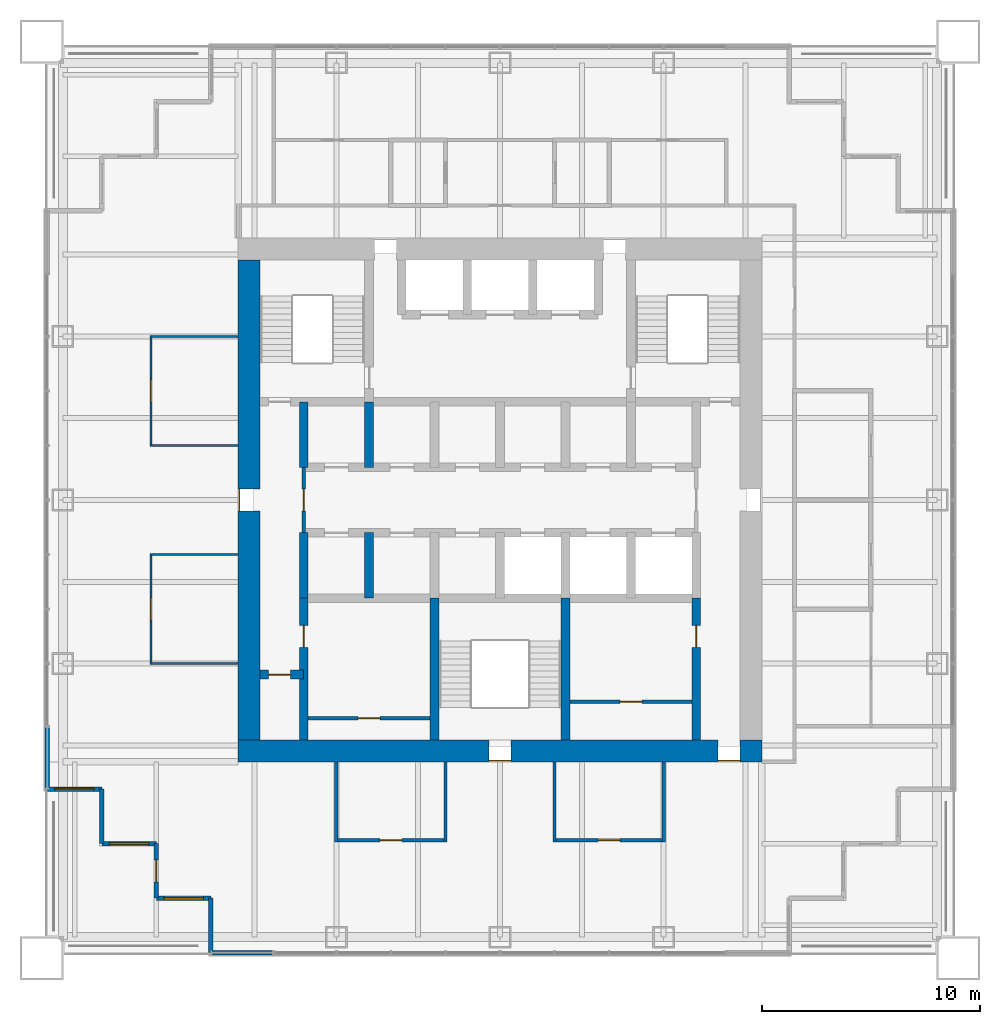
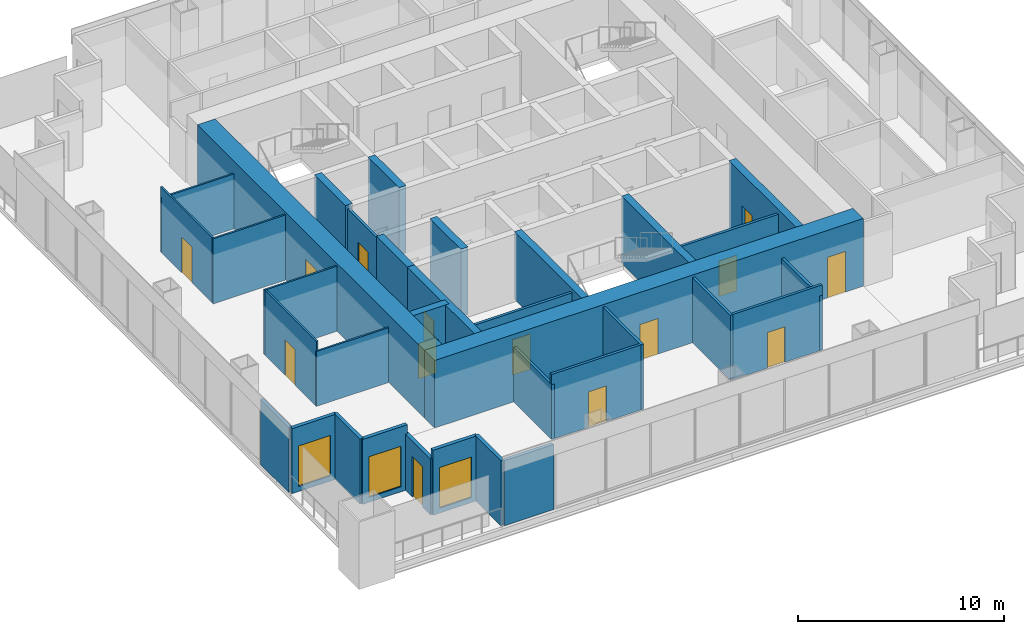
# One storey, part 9 of 14: 34 walls, 14 doors, 3 windows, 17 openings.
"""IFC4 building model written with IfcOpenShell, lengths in metres."""

from ifc_helpers import new_model, si_unit, direction, frame, frame_2d, origin, place, context, subcontext, project, spatial, rectangle, extrude, material, layer, layer_set, type_object, element, fill, save


model = new_model("IFC4")

# Units and contexts
model_context = context("Model", 3, precision=1e-05, world=origin(), true_north=direction((0.0, 1.0)))
body_context = subcontext(model_context, "Body", "Model", "MODEL_VIEW")
ifc_project = project(units=[si_unit("LENGTHUNIT", "METRE"), si_unit("AREAUNIT", "SQUARE_METRE"), si_unit("VOLUMEUNIT", "CUBIC_METRE"), si_unit("PLANEANGLEUNIT", "RADIAN"), si_unit("MASSUNIT", "GRAM", prefix="KILO")], contexts=[model_context])

# Site, building, storey
site_placement = place(None, origin())
site = spatial("IfcSite", under=ifc_project, at=site_placement, CompositionType="ELEMENT")
building_placement = place(site_placement, origin())
building = spatial("IfcBuilding", under=site, at=building_placement, Name="Tarangal Relay Tower", CompositionType="ELEMENT")
storey_placement = place(building_placement, frame((0.0, 0.0, 327.89990234375)))
storey = spatial("IfcBuildingStorey", under=building, at=storey_placement, Name="L73", CompositionType="ELEMENT", Elevation=327.89990234375)

# Wall, opening, door
ifc_material_1 = material(Name="Concrete fc' 60 MPa", Category="concrete")
ifc_layer_1 = layer(ifc_material_1, 0.39990234375)
ifc_layer_set_1 = layer_set([ifc_layer_1], Name="Core inner wall 400")
wall_type_1 = type_object("IfcWallType", Name="Core inner wall 400", PredefinedType="SHEAR", material=ifc_layer_set_1)
wall_1_placement = place(storey_placement, frame((-11.0, -8.0, 0.0), z_axis=(0.0, 0.0, 1.0), x_axis=(1.0, 0.0, 0.0)))
wall_1 = element("IfcWall", 1, at=wall_1_placement, inside=storey, type_object=wall_type_1, Name="Core wall YM8 L73", PredefinedType="SHEAR", context=body_context, shape_type="SweptSolid", body=[
    extrude(rectangle(XDim=2.0, YDim=0.39990234375, at=frame_2d((1.0, 0.0))), origin(), (0.0, 0.0, 1.0), 4.0),
])
opening_1_placement = place(wall_1_placement, frame((0.39990234375, 0.0, 0.0)))
opening_1 = element("IfcOpeningElement", 2, at=opening_1_placement, cuts=wall_1, Name="Opening D1", PredefinedType="OPENING", context=body_context, shape_type="SweptSolid", body=[
    extrude(rectangle(XDim=1.0, YDim=2.10009765625, at=frame_2d((0.5, 1.050048828125))), frame((0.0, 0.2099609375, 0.0), z_axis=(0.0, -1.0, 0.0), x_axis=(1.0, 0.0, 0.0)), (0.0, 0.0, 1.0), 0.419921875),
])
ifc_material_2 = material(Name="Hardwood door", Category="wood")
door_type_1 = type_object("IfcDoorType", Name="WC door 1000 x 2100", OperationType="SINGLE_SWING_LEFT", PredefinedType="DOOR", material=ifc_material_2)
door_1_placement = place(opening_1_placement, origin())
door_1 = element("IfcDoor", 3, at=door_1_placement, inside=storey, type_object=door_type_1, Name="Accessible WC door L73", OperationType="SINGLE_SWING_LEFT", OverallHeight=2.10009765625, OverallWidth=1.0, PredefinedType="DOOR", context=body_context, shape_type="SweptSolid", body=[
    extrude(rectangle(XDim=1.0, YDim=2.10009765625, at=frame_2d((0.5, 1.050048828125))), frame((0.0, 0.02490234375, 0.0), z_axis=(0.0, -1.0, 0.0), x_axis=(1.0, 0.0, 0.0)), (0.0, 0.0, 1.0), 0.050048828125),
])
fill(opening_1, door_1)

# Walls
for number, where, z_axis, x_axis, name in (
    (4, (-9.0, 1.5, 0.0), (0.0, 0.0, 1.0), (0.0, 1.0, 0.0), "Core wall XM9N L73"),
    (5, (-9.0, -4.5, 0.0), (0.0, 0.0, 1.0), (0.0, 1.0, 0.0), "Core wall XM9S L73"),
    (6, (-6.0, 1.5, 0.0), (0.0, 0.0, 1.0), (0.0, 1.0, 0.0), "Core wall XM6N L73"),
    (7, (-6.0, -4.5, 0.0), (0.0, 0.0, 1.0), (0.0, 1.0, 0.0), "Core wall XM6S L73"),
):
    element("IfcWall", number, at=place(storey_placement, frame(where, z_axis=z_axis, x_axis=x_axis)), inside=storey, type_object=wall_type_1, Name=name, PredefinedType="SHEAR", context=body_context, shape_type="SweptSolid", body=[
        extrude(rectangle(XDim=3.0, YDim=0.39990234375, at=frame_2d((1.5, 0.0))), origin(), (0.0, 0.0, 1.0), 4.0),
    ])

# Wall, opening, door
wall_2_placement = place(storey_placement, frame((-9.0, -11.0, 0.0), z_axis=(0.0, 0.0, 1.0), x_axis=(0.0, 1.0, 0.0)))
wall_2 = element("IfcWall", 8, at=wall_2_placement, inside=storey, type_object=wall_type_1, Name="Core wall XM9W L73", PredefinedType="SHEAR", context=body_context, shape_type="SweptSolid", body=[
    extrude(rectangle(XDim=6.5, YDim=0.39990234375, at=frame_2d((3.25, 0.0))), origin(), (0.0, 0.0, 1.0), 4.0),
])
opening_2_placement = place(wall_2_placement, frame((4.25, 0.0, 0.0)))
opening_2 = element("IfcOpeningElement", 9, at=opening_2_placement, cuts=wall_2, Name="Opening D1", PredefinedType="OPENING", context=body_context, shape_type="SweptSolid", body=[
    extrude(rectangle(XDim=1.0, YDim=2.10009765625, at=frame_2d((0.5, 1.050048828125))), frame((0.0, 0.2099609375, 0.0), z_axis=(0.0, -1.0, 0.0), x_axis=(1.0, 0.0, 0.0)), (0.0, 0.0, 1.0), 0.419921875),
])
door_2_placement = place(opening_2_placement, origin())
door_2 = element("IfcDoor", 10, at=door_2_placement, inside=storey, type_object=door_type_1, Name="Male WC door L73", OperationType="SINGLE_SWING_LEFT", OverallHeight=2.10009765625, OverallWidth=1.0, PredefinedType="DOOR", context=body_context, shape_type="SweptSolid", body=[
    extrude(rectangle(XDim=1.0, YDim=2.10009765625, at=frame_2d((0.5, 1.050048828125))), frame((0.0, 0.02490234375, 0.0), z_axis=(0.0, -1.0, 0.0), x_axis=(1.0, 0.0, 0.0)), (0.0, 0.0, 1.0), 0.050048828125),
])
fill(opening_2, door_2)

wall_3_placement = place(storey_placement, frame((9.0, -11.0, 0.0), z_axis=(0.0, 0.0, 1.0), x_axis=(0.0, 1.0, 0.0)))
wall_3 = element("IfcWall", 11, at=wall_3_placement, inside=storey, type_object=wall_type_1, Name="Core wall X9W L73", PredefinedType="SHEAR", context=body_context, shape_type="SweptSolid", body=[
    extrude(rectangle(XDim=6.5, YDim=0.39990234375, at=frame_2d((3.25, 0.0))), origin(), (0.0, 0.0, 1.0), 4.0),
])
opening_3_placement = place(wall_3_placement, frame((4.25, 0.0, 0.0)))
opening_3 = element("IfcOpeningElement", 12, at=opening_3_placement, cuts=wall_3, Name="Opening D1", PredefinedType="OPENING", context=body_context, shape_type="SweptSolid", body=[
    extrude(rectangle(XDim=1.0, YDim=2.10009765625, at=frame_2d((0.5, 1.050048828125))), frame((0.0, 0.2099609375, 0.0), z_axis=(0.0, -1.0, 0.0), x_axis=(1.0, 0.0, 0.0)), (0.0, 0.0, 1.0), 0.419921875),
])
door_3_placement = place(opening_3_placement, origin())
door_3 = element("IfcDoor", 13, at=door_3_placement, inside=storey, type_object=door_type_1, Name="Female WC door L73", OperationType="SINGLE_SWING_LEFT", OverallHeight=2.10009765625, OverallWidth=1.0, PredefinedType="DOOR", context=body_context, shape_type="SweptSolid", body=[
    extrude(rectangle(XDim=1.0, YDim=2.10009765625, at=frame_2d((0.5, 1.050048828125))), frame((0.0, 0.02490234375, 0.0), z_axis=(0.0, -1.0, 0.0), x_axis=(1.0, 0.0, 0.0)), (0.0, 0.0, 1.0), 0.050048828125),
])
fill(opening_3, door_3)

# Walls
for number, where, z_axis, x_axis, name in (
    (14, (-3.0, -11.0, 0.0), (0.0, 0.0, 1.0), (0.0, 1.0, 0.0), "Core wall XM3W L73"),
    (15, (3.0, -11.0, 0.0), (0.0, 0.0, 1.0), (0.0, 1.0, 0.0), "Core wall X3W L73"),
):
    element("IfcWall", number, at=place(storey_placement, frame(where, z_axis=z_axis, x_axis=x_axis)), inside=storey, type_object=wall_type_1, Name=name, PredefinedType="SHEAR", context=body_context, shape_type="SweptSolid", body=[
        extrude(rectangle(XDim=6.5, YDim=0.39990234375, at=frame_2d((3.25, 0.0))), origin(), (0.0, 0.0, 1.0), 4.0),
    ])

# Wall, openings, doors
ifc_layer_2 = layer(ifc_material_1, 1.0)
ifc_layer_set_2 = layer_set([ifc_layer_2], Name="Core wall 1000")
wall_type_2 = type_object("IfcWallType", Name="Core wall 1000", PredefinedType="SHEAR", material=ifc_layer_set_2)
wall_4_placement = place(storey_placement, frame((12.0, -11.5, 0.0), z_axis=(0.0, 0.0, 1.0), x_axis=(-1.0, 0.0, 0.0)))
wall_4 = element("IfcWall", 16, at=wall_4_placement, inside=storey, type_object=wall_type_2, Name="Core wall S L73", PredefinedType="SHEAR", context=body_context, shape_type="SweptSolid", body=[
    extrude(rectangle(XDim=24.0, YDim=1.0, at=frame_2d((12.0, 0.0))), origin(), (0.0, 0.0, 1.0), 4.0),
])
opening_4_placement = place(wall_4_placement, frame((11.5, 0.0, 0.0)))
opening_4 = element("IfcOpeningElement", 17, at=opening_4_placement, cuts=wall_4, Name="Opening FD1", PredefinedType="OPENING", context=body_context, shape_type="SweptSolid", body=[
    extrude(rectangle(XDim=1.0, YDim=2.10009765625, at=frame_2d((0.5, 1.050048828125))), frame((0.0, 0.510009765625, 0.0), z_axis=(0.0, -1.0, 0.0), x_axis=(1.0, 0.0, 0.0)), (0.0, 0.0, 1.0), 1.02001953125),
])
opening_5_placement = place(wall_4_placement, frame((1.0, 0.0, 0.0)))
opening_5 = element("IfcOpeningElement", 18, at=opening_5_placement, cuts=wall_4, Name="Opening FD3", PredefinedType="OPENING", context=body_context, shape_type="SweptSolid", body=[
    extrude(rectangle(XDim=1.0, YDim=2.39990234375, at=frame_2d((0.5, 1.199951171875))), frame((0.0, 0.510009765625, 0.0), z_axis=(0.0, -1.0, 0.0), x_axis=(1.0, 0.0, 0.0)), (0.0, 0.0, 1.0), 1.02001953125),
])
ifc_material_3 = material(Name="Steel door with hardwood frame", Category="steel")
door_type_2 = type_object("IfcDoorType", Name="Fire door 1000 x 2100", OperationType="SINGLE_SWING_LEFT", PredefinedType="DOOR", material=ifc_material_3)
door_4_placement = place(opening_4_placement, origin())
door_4 = element("IfcDoor", 19, at=door_4_placement, inside=storey, type_object=door_type_2, Name="Stair ST-C door L73", OperationType="SINGLE_SWING_LEFT", OverallHeight=2.10009765625, OverallWidth=1.0, PredefinedType="DOOR", context=body_context, shape_type="SweptSolid", body=[
    extrude(rectangle(XDim=1.0, YDim=2.10009765625, at=frame_2d((0.5, 1.050048828125))), frame((0.0, 0.48486328125, 0.0), z_axis=(0.0, -1.0, 0.0), x_axis=(1.0, 0.0, 0.0)), (0.0, 0.0, 1.0), 0.050048828125),
])
fill(opening_4, door_4)
door_type_3 = type_object("IfcDoorType", Name="Fire door 1000 x 2400 core entry", OperationType="SINGLE_SWING_RIGHT", PredefinedType="DOOR", material=ifc_material_3)
door_5_placement = place(opening_5_placement, origin())
door_5 = element("IfcDoor", 20, at=door_5_placement, inside=storey, type_object=door_type_3, Name="Core entry door south east L73", OperationType="SINGLE_SWING_RIGHT", OverallHeight=2.39990234375, OverallWidth=1.0, PredefinedType="DOOR", context=body_context, shape_type="SweptSolid", body=[
    extrude(rectangle(XDim=1.0, YDim=2.39990234375, at=frame_2d((0.5, 1.199951171875))), frame((0.0, 0.48486328125, 0.0), z_axis=(0.0, -1.0, 0.0), x_axis=(1.0, 0.0, 0.0)), (0.0, 0.0, 1.0), 0.050048828125),
])
fill(opening_5, door_5)

# Wall, opening, door
wall_5_placement = place(storey_placement, frame((-11.5, -11.0, 0.0), z_axis=(0.0, 0.0, 1.0), x_axis=(0.0, 1.0, 0.0)))
wall_5 = element("IfcWall", 21, at=wall_5_placement, inside=storey, type_object=wall_type_2, Name="Core wall W L73", PredefinedType="SHEAR", context=body_context, shape_type="SweptSolid", body=[
    extrude(rectangle(XDim=22.0, YDim=1.0, at=frame_2d((11.0, 0.0))), origin(), (0.0, 0.0, 1.0), 4.0),
])
opening_6_placement = place(wall_5_placement, frame((10.5, 0.0, 0.0)))
opening_6 = element("IfcOpeningElement", 22, at=opening_6_placement, cuts=wall_5, Name="Opening FD3", PredefinedType="OPENING", context=body_context, shape_type="SweptSolid", body=[
    extrude(rectangle(XDim=1.0, YDim=2.39990234375, at=frame_2d((0.5, 1.199951171875))), frame((0.0, 0.510009765625, 0.0), z_axis=(0.0, -1.0, 0.0), x_axis=(1.0, 0.0, 0.0)), (0.0, 0.0, 1.0), 1.02001953125),
])
door_6_placement = place(opening_6_placement, origin())
door_6 = element("IfcDoor", 23, at=door_6_placement, inside=storey, type_object=door_type_3, Name="Core entry door west L73", OperationType="SINGLE_SWING_RIGHT", OverallHeight=2.39990234375, OverallWidth=1.0, PredefinedType="DOOR", context=body_context, shape_type="SweptSolid", body=[
    extrude(rectangle(XDim=1.0, YDim=2.39990234375, at=frame_2d((0.5, 1.199951171875))), frame((0.0, 0.48486328125, 0.0), z_axis=(0.0, -1.0, 0.0), x_axis=(1.0, 0.0, 0.0)), (0.0, 0.0, 1.0), 0.050048828125),
])
fill(opening_6, door_6)

# Wall
ifc_material_4 = material(Name="Black metal clad insulated wall", Category="steel")
ifc_layer_3 = layer(ifc_material_4, 0.199951171875)
ifc_layer_set_3 = layer_set([ifc_layer_3], Name="Corner wall metal clad 200")
wall_type_3 = type_object("IfcWallType", Name="Corner wall metal clad 200", PredefinedType="SOLIDWALL", material=ifc_layer_set_3)
wall_6_placement = place(storey_placement, frame((-13.25, -20.75, 0.0), z_axis=(0.0, 0.0, 1.0), x_axis=(0.0, 1.0, 0.0)))
element("IfcWall", 24, at=wall_6_placement, inside=storey, type_object=wall_type_3, Name="Facade wall S facade L73", PredefinedType="SOLIDWALL", context=body_context, shape_type="SweptSolid", body=[
    extrude(rectangle(XDim=2.5, YDim=0.199951171875, at=frame_2d((1.25, 0.0))), origin(), (0.0, 0.0, 1.0), 3.85009765625),
])

# Wall, opening, window
wall_7_placement = place(storey_placement, frame((-13.25, -18.25, 0.0), z_axis=(0.0, 0.0, 1.0), x_axis=(-1.0, 0.0, 0.0)))
wall_7 = element("IfcWall", 25, at=wall_7_placement, inside=storey, type_object=wall_type_3, Name="Facade wall S facade L73", PredefinedType="SOLIDWALL", context=body_context, shape_type="SweptSolid", body=[
    extrude(rectangle(XDim=2.5, YDim=0.199951171875, at=frame_2d((1.25, 0.0))), origin(), (0.0, 0.0, 1.0), 3.85009765625),
])
opening_7_placement = place(wall_7_placement, frame((0.35009765625, 0.0, 0.300048828125)))
opening_7 = element("IfcOpeningElement", 26, at=opening_7_placement, cuts=wall_7, Name="Opening WN2", PredefinedType="OPENING", context=body_context, shape_type="SweptSolid", body=[
    extrude(rectangle(XDim=1.800048828125, YDim=2.39990234375, at=frame_2d((0.89990234375, 1.199951171875))), frame((0.0, 0.10986328125, 0.0), z_axis=(0.0, -1.0, 0.0), x_axis=(1.0, 0.0, 0.0)), (0.0, 0.0, 1.0), 0.219970703125),
])
ifc_material_5 = material(Name="Dark tinted double glazing in black aluminium frame", Category="aluminium")
window_type = type_object("IfcWindowType", Name="Corner window 1800 x 2400", PartitioningType="SINGLE_PANEL", PredefinedType="WINDOW", material=ifc_material_5)
window_1_placement = place(opening_7_placement, origin())
window_1 = element("IfcWindow", 27, at=window_1_placement, inside=storey, type_object=window_type, Name="Corner window WN2 S facade L73", OverallHeight=2.39990234375, OverallWidth=1.800048828125, PartitioningType="SINGLE_PANEL", PredefinedType="WINDOW", context=body_context, shape_type="SweptSolid", body=[
    extrude(rectangle(XDim=1.800048828125, YDim=2.39990234375, at=frame_2d((0.89990234375, 1.199951171875))), frame((0.0, 0.030029296875, 0.0), z_axis=(0.0, -1.0, 0.0), x_axis=(1.0, 0.0, 0.0)), (0.0, 0.0, 1.0), 0.06005859375),
])
fill(opening_7, window_1)

# Wall, opening, door
wall_8_placement = place(storey_placement, frame((-15.75, -18.25, 0.0), z_axis=(0.0, 0.0, 1.0), x_axis=(0.0, 1.0, 0.0)))
wall_8 = element("IfcWall", 28, at=wall_8_placement, inside=storey, type_object=wall_type_3, Name="Facade wall S facade L73", PredefinedType="SOLIDWALL", context=body_context, shape_type="SweptSolid", body=[
    extrude(rectangle(XDim=2.5, YDim=0.199951171875, at=frame_2d((1.25, 0.0))), origin(), (0.0, 0.0, 1.0), 3.316650390625),
])
opening_8_placement = place(wall_8_placement, frame((0.75, 0.0, 0.0)))
opening_8 = element("IfcOpeningElement", 29, at=opening_8_placement, cuts=wall_8, Name="Opening TD1", PredefinedType="OPENING", context=body_context, shape_type="SweptSolid", body=[
    extrude(rectangle(XDim=1.0, YDim=2.39990234375, at=frame_2d((0.5, 1.199951171875))), frame((0.0, 0.10986328125, 0.0), z_axis=(0.0, -1.0, 0.0), x_axis=(1.0, 0.0, 0.0)), (0.0, 0.0, 1.0), 0.219970703125),
])
ifc_material_6 = material(Name="Aluminium glazed door", Category="aluminium")
door_type_4 = type_object("IfcDoorType", Name="Terrace door 1000 x 2400", OperationType="SINGLE_SWING_RIGHT", PredefinedType="DOOR", material=ifc_material_6)
door_7_placement = place(opening_8_placement, origin())
door_7 = element("IfcDoor", 30, at=door_7_placement, inside=storey, type_object=door_type_4, Name="Terrace door TD1 SW L73", OperationType="SINGLE_SWING_RIGHT", OverallHeight=2.39990234375, OverallWidth=1.0, PredefinedType="DOOR", context=body_context, shape_type="SweptSolid", body=[
    extrude(rectangle(XDim=1.0, YDim=2.39990234375, at=frame_2d((0.5, 1.199951171875))), frame((0.0, 0.02490234375, 0.0), z_axis=(0.0, -1.0, 0.0), x_axis=(1.0, 0.0, 0.0)), (0.0, 0.0, 1.0), 0.050048828125),
])
fill(opening_8, door_7)

# Wall, opening, window
wall_9_placement = place(storey_placement, frame((-15.75, -15.75, 0.0), z_axis=(0.0, 0.0, 1.0), x_axis=(-1.0, 0.0, 0.0)))
wall_9 = element("IfcWall", 31, at=wall_9_placement, inside=storey, type_object=wall_type_3, Name="Facade wall S facade L73", PredefinedType="SOLIDWALL", context=body_context, shape_type="SweptSolid", body=[
    extrude(rectangle(XDim=2.5, YDim=0.199951171875, at=frame_2d((1.25, 0.0))), origin(), (0.0, 0.0, 1.0), 3.85009765625),
])
opening_9_placement = place(wall_9_placement, frame((0.35009765625, 0.0, 0.300048828125)))
opening_9 = element("IfcOpeningElement", 32, at=opening_9_placement, cuts=wall_9, Name="Opening WN2", PredefinedType="OPENING", context=body_context, shape_type="SweptSolid", body=[
    extrude(rectangle(XDim=1.800048828125, YDim=2.39990234375, at=frame_2d((0.89990234375, 1.199951171875))), frame((0.0, 0.10986328125, 0.0), z_axis=(0.0, -1.0, 0.0), x_axis=(1.0, 0.0, 0.0)), (0.0, 0.0, 1.0), 0.219970703125),
])
window_2_placement = place(opening_9_placement, origin())
window_2 = element("IfcWindow", 33, at=window_2_placement, inside=storey, type_object=window_type, Name="Corner window WN2 S facade L73", OverallHeight=2.39990234375, OverallWidth=1.800048828125, PartitioningType="SINGLE_PANEL", PredefinedType="WINDOW", context=body_context, shape_type="SweptSolid", body=[
    extrude(rectangle(XDim=1.800048828125, YDim=2.39990234375, at=frame_2d((0.89990234375, 1.199951171875))), frame((0.0, 0.030029296875, 0.0), z_axis=(0.0, -1.0, 0.0), x_axis=(1.0, 0.0, 0.0)), (0.0, 0.0, 1.0), 0.06005859375),
])
fill(opening_9, window_2)

# Wall
wall_10_placement = place(storey_placement, frame((-18.25, -15.75, 0.0), z_axis=(0.0, 0.0, 1.0), x_axis=(0.0, 1.0, 0.0)))
element("IfcWall", 34, at=wall_10_placement, inside=storey, type_object=wall_type_3, Name="Facade wall S facade L73", PredefinedType="SOLIDWALL", context=body_context, shape_type="SweptSolid", body=[
    extrude(rectangle(XDim=2.5, YDim=0.199951171875, at=frame_2d((1.25, 0.0))), origin(), (0.0, 0.0, 1.0), 3.85009765625),
])

# Wall, opening, window
wall_11_placement = place(storey_placement, frame((-18.25, -13.25, 0.0), z_axis=(0.0, 0.0, 1.0), x_axis=(-1.0, 0.0, 0.0)))
wall_11 = element("IfcWall", 35, at=wall_11_placement, inside=storey, type_object=wall_type_3, Name="Facade wall S facade L73", PredefinedType="SOLIDWALL", context=body_context, shape_type="SweptSolid", body=[
    extrude(rectangle(XDim=2.5, YDim=0.199951171875, at=frame_2d((1.25, 0.0))), origin(), (0.0, 0.0, 1.0), 3.85009765625),
])
opening_10_placement = place(wall_11_placement, frame((0.35009765625, 0.0, 0.300048828125)))
opening_10 = element("IfcOpeningElement", 36, at=opening_10_placement, cuts=wall_11, Name="Opening WN2", PredefinedType="OPENING", context=body_context, shape_type="SweptSolid", body=[
    extrude(rectangle(XDim=1.800048828125, YDim=2.39990234375, at=frame_2d((0.89990234375, 1.199951171875))), frame((0.0, 0.10986328125, 0.0), z_axis=(0.0, -1.0, 0.0), x_axis=(1.0, 0.0, 0.0)), (0.0, 0.0, 1.0), 0.219970703125),
])
window_3_placement = place(opening_10_placement, origin())
window_3 = element("IfcWindow", 37, at=window_3_placement, inside=storey, type_object=window_type, Name="Corner window WN2 S facade L73", OverallHeight=2.39990234375, OverallWidth=1.800048828125, PartitioningType="SINGLE_PANEL", PredefinedType="WINDOW", context=body_context, shape_type="SweptSolid", body=[
    extrude(rectangle(XDim=1.800048828125, YDim=2.39990234375, at=frame_2d((0.89990234375, 1.199951171875))), frame((0.0, 0.030029296875, 0.0), z_axis=(0.0, -1.0, 0.0), x_axis=(1.0, 0.0, 0.0)), (0.0, 0.0, 1.0), 0.06005859375),
])
fill(opening_10, window_3)

# Walls
ifc_layer_4 = layer(ifc_material_4, 0.199951171875)
ifc_layer_set_4 = layer_set([ifc_layer_4], Name="Facade infill wall metal clad 200")
wall_type_4 = type_object("IfcWallType", Name="Facade infill wall metal clad 200", PredefinedType="SOLIDWALL", material=ifc_layer_set_4)
for number, where, z_axis, x_axis, name in (
    (38, (-10.43505859375, -20.75, 0.0), (0.0, 0.0, 1.0), (-1.0, 0.0, 0.0), "Facade infill wall S facade L73 1.1"),
    (39, (-20.75, -13.18994140625, 0.0), (0.0, 0.0, 1.0), (0.0, 1.0, 0.0), "Facade infill wall W facade L73 1.1"),
):
    element("IfcWall", number, at=place(storey_placement, frame(where, z_axis=z_axis, x_axis=x_axis)), inside=storey, type_object=wall_type_4, Name=name, PredefinedType="SOLIDWALL", context=body_context, shape_type="SweptSolid", body=[
        extrude(rectangle(XDim=2.7548828125, YDim=0.199951171875, at=frame_2d((1.37744140625, 0.0))), origin(), (0.0, 0.0, 1.0), 3.85009765625),
    ])
ifc_material_7 = material(Name="Double glazed aluminium framed partition", Category="aluminium")
ifc_layer_5 = layer(ifc_material_7, 0.10009765625)
ifc_layer_set_5 = layer_set([ifc_layer_5], Name="Glazed partition 100")
wall_type_5 = type_object("IfcWallType", Name="Glazed partition 100", PredefinedType="PARTITIONING", material=ifc_layer_set_5)
wall_12_placement = place(storey_placement, frame((-16.050048828125, -7.5, 0.0), z_axis=(0.0, 0.0, 1.0), x_axis=(1.0, 0.0, 0.0)))
element("IfcWall", 40, at=wall_12_placement, inside=storey, type_object=wall_type_5, Name="Partition PT3 L73", PredefinedType="PARTITIONING", context=body_context, shape_type="SweptSolid", body=[
    extrude(rectangle(XDim=4.050048828125, YDim=0.10009765625, at=frame_2d((2.02490234375, 0.0))), origin(), (0.0, 0.0, 1.0), 3.2431640625),
])
for number, where, z_axis, x_axis, name in (
    (41, (-16.050048828125, -2.5, 0.0), (0.0, 0.0, 1.0), (1.0, 0.0, 0.0), "Partition PT3 L73"),
    (42, (-16.050048828125, 2.5, 0.0), (0.0, 0.0, 1.0), (1.0, 0.0, 0.0), "Partition PT3 L73"),
):
    element("IfcWall", number, at=place(storey_placement, frame(where, z_axis=z_axis, x_axis=x_axis)), inside=storey, type_object=wall_type_5, Name=name, PredefinedType="PARTITIONING", context=body_context, shape_type="SweptSolid", body=[
        extrude(rectangle(XDim=4.050048828125, YDim=0.10009765625, at=frame_2d((2.02490234375, 0.0))), origin(), (0.0, 0.0, 1.0), 3.85009765625),
    ])
wall_13_placement = place(storey_placement, frame((-16.050048828125, 7.5, 0.0), z_axis=(0.0, 0.0, 1.0), x_axis=(1.0, 0.0, 0.0)))
element("IfcWall", 43, at=wall_13_placement, inside=storey, type_object=wall_type_5, Name="Partition PT3 L73", PredefinedType="PARTITIONING", context=body_context, shape_type="SweptSolid", body=[
    extrude(rectangle(XDim=4.050048828125, YDim=0.10009765625, at=frame_2d((2.02490234375, 0.0))), origin(), (0.0, 0.0, 1.0), 3.2431640625),
])

# Wall, opening, door
wall_14_placement = place(storey_placement, frame((-16.0, -7.550048828125, 0.0), z_axis=(0.0, 0.0, 1.0), x_axis=(0.0, 1.0, 0.0)))
wall_14 = element("IfcWall", 44, at=wall_14_placement, inside=storey, type_object=wall_type_5, Name="Partition PT3 L73", PredefinedType="PARTITIONING", context=body_context, shape_type="SweptSolid", body=[
    extrude(rectangle(XDim=5.10009765625, YDim=0.10009765625, at=frame_2d((2.550048828125, 0.0))), origin(), (0.0, 0.0, 1.0), 3.85009765625),
])
opening_11_placement = place(wall_14_placement, frame((2.050048828125, 0.0, 0.0)))
opening_11 = element("IfcOpeningElement", 45, at=opening_11_placement, cuts=wall_14, Name="Opening D3", PredefinedType="OPENING", context=body_context, shape_type="SweptSolid", body=[
    extrude(rectangle(XDim=1.0, YDim=2.10009765625, at=frame_2d((0.5, 1.050048828125))), frame((0.0, 0.06005859375, 0.0), z_axis=(0.0, -1.0, 0.0), x_axis=(1.0, 0.0, 0.0)), (0.0, 0.0, 1.0), 0.1201171875),
])
ifc_material_8 = material(Name="Frameless glass door", Category="glass")
door_type_5 = type_object("IfcDoorType", Name="Glazed door 1000 x 2100", OperationType="SINGLE_SWING_LEFT", PredefinedType="DOOR", material=ifc_material_8)
door_8_placement = place(opening_11_placement, origin())
door_8 = element("IfcDoor", 46, at=door_8_placement, inside=storey, type_object=door_type_5, Name="Door D3 to project room L73-12", OperationType="SINGLE_SWING_LEFT", OverallHeight=2.10009765625, OverallWidth=1.0, PredefinedType="DOOR", context=body_context, shape_type="SweptSolid", body=[
    extrude(rectangle(XDim=1.0, YDim=2.10009765625, at=frame_2d((0.5, 1.050048828125))), frame((0.0, 0.02490234375, 0.0), z_axis=(0.0, -1.0, 0.0), x_axis=(1.0, 0.0, 0.0)), (0.0, 0.0, 1.0), 0.050048828125),
])
fill(opening_11, door_8)

wall_15_placement = place(storey_placement, frame((-16.0, 2.449951171875, 0.0), z_axis=(0.0, 0.0, 1.0), x_axis=(0.0, 1.0, 0.0)))
wall_15 = element("IfcWall", 47, at=wall_15_placement, inside=storey, type_object=wall_type_5, Name="Partition PT3 L73", PredefinedType="PARTITIONING", context=body_context, shape_type="SweptSolid", body=[
    extrude(rectangle(XDim=5.10009765625, YDim=0.10009765625, at=frame_2d((2.550048828125, 0.0))), origin(), (0.0, 0.0, 1.0), 3.85009765625),
])
opening_12_placement = place(wall_15_placement, frame((2.050048828125, 0.0, 0.0)))
opening_12 = element("IfcOpeningElement", 48, at=opening_12_placement, cuts=wall_15, Name="Opening D3", PredefinedType="OPENING", context=body_context, shape_type="SweptSolid", body=[
    extrude(rectangle(XDim=1.0, YDim=2.10009765625, at=frame_2d((0.5, 1.050048828125))), frame((0.0, 0.06005859375, 0.0), z_axis=(0.0, -1.0, 0.0), x_axis=(1.0, 0.0, 0.0)), (0.0, 0.0, 1.0), 0.1201171875),
])
door_9_placement = place(opening_12_placement, origin())
door_9 = element("IfcDoor", 49, at=door_9_placement, inside=storey, type_object=door_type_5, Name="Door D3 to project room L73-13", OperationType="SINGLE_SWING_LEFT", OverallHeight=2.10009765625, OverallWidth=1.0, PredefinedType="DOOR", context=body_context, shape_type="SweptSolid", body=[
    extrude(rectangle(XDim=1.0, YDim=2.10009765625, at=frame_2d((0.5, 1.050048828125))), frame((0.0, 0.02490234375, 0.0), z_axis=(0.0, -1.0, 0.0), x_axis=(1.0, 0.0, 0.0)), (0.0, 0.0, 1.0), 0.050048828125),
])
fill(opening_12, door_9)

ifc_material_9 = material(Name="Gypsum board on steel studs", Category="steel")
ifc_layer_6 = layer(ifc_material_9, 0.14990234375)
ifc_layer_set_6 = layer_set([ifc_layer_6], Name="Partition 150")
wall_type_6 = type_object("IfcWallType", Name="Partition 150", PredefinedType="PARTITIONING", material=ifc_layer_set_6)
wall_16_placement = place(storey_placement, frame((-7.574951171875, -15.60009765625, 0.0), z_axis=(0.0, 0.0, 1.0), x_axis=(1.0, 0.0, 0.0)))
wall_16 = element("IfcWall", 50, at=wall_16_placement, inside=storey, type_object=wall_type_6, Name="Partition PT1 L73", PredefinedType="PARTITIONING", context=body_context, shape_type="SweptSolid", body=[
    extrude(rectangle(XDim=5.14990234375, YDim=0.14990234375, at=frame_2d((2.574951171875, 0.0))), origin(), (0.0, 0.0, 1.0), 3.85009765625),
])
opening_13_placement = place(wall_16_placement, frame((2.074951171875, 0.0, 0.0)))
opening_13 = element("IfcOpeningElement", 51, at=opening_13_placement, cuts=wall_16, Name="Opening D2", PredefinedType="OPENING", context=body_context, shape_type="SweptSolid", body=[
    extrude(rectangle(XDim=1.0, YDim=2.10009765625, at=frame_2d((0.5, 1.050048828125))), frame((0.0, 0.0849609375, 0.0), z_axis=(0.0, -1.0, 0.0), x_axis=(1.0, 0.0, 0.0)), (0.0, 0.0, 1.0), 0.169921875),
])
door_type_6 = type_object("IfcDoorType", Name="Door 1000 x 2100", OperationType="SINGLE_SWING_LEFT", PredefinedType="DOOR", material=ifc_material_2)
door_10_placement = place(opening_13_placement, origin())
door_10 = element("IfcDoor", 52, at=door_10_placement, inside=storey, type_object=door_type_6, Name="Door D2 to print room L73-11", OperationType="SINGLE_SWING_LEFT", OverallHeight=2.10009765625, OverallWidth=1.0, PredefinedType="DOOR", context=body_context, shape_type="SweptSolid", body=[
    extrude(rectangle(XDim=1.0, YDim=2.10009765625, at=frame_2d((0.5, 1.050048828125))), frame((0.0, 0.02490234375, 0.0), z_axis=(0.0, -1.0, 0.0), x_axis=(1.0, 0.0, 0.0)), (0.0, 0.0, 1.0), 0.050048828125),
])
fill(opening_13, door_10)

wall_17_placement = place(storey_placement, frame((2.425048828125, -15.60009765625, 0.0), z_axis=(0.0, 0.0, 1.0), x_axis=(1.0, 0.0, 0.0)))
wall_17 = element("IfcWall", 53, at=wall_17_placement, inside=storey, type_object=wall_type_6, Name="Partition PT1 L73", PredefinedType="PARTITIONING", context=body_context, shape_type="SweptSolid", body=[
    extrude(rectangle(XDim=5.14990234375, YDim=0.14990234375, at=frame_2d((2.574951171875, 0.0))), origin(), (0.0, 0.0, 1.0), 3.85009765625),
])
opening_14_placement = place(wall_17_placement, frame((2.074951171875, 0.0, 0.0)))
opening_14 = element("IfcOpeningElement", 54, at=opening_14_placement, cuts=wall_17, Name="Opening D2", PredefinedType="OPENING", context=body_context, shape_type="SweptSolid", body=[
    extrude(rectangle(XDim=1.0, YDim=2.10009765625, at=frame_2d((0.5, 1.050048828125))), frame((0.0, 0.0849609375, 0.0), z_axis=(0.0, -1.0, 0.0), x_axis=(1.0, 0.0, 0.0)), (0.0, 0.0, 1.0), 0.169921875),
])
door_11_placement = place(opening_14_placement, origin())
door_11 = element("IfcDoor", 55, at=door_11_placement, inside=storey, type_object=door_type_6, Name="Door D2 to tea pantry L73-10", OperationType="SINGLE_SWING_LEFT", OverallHeight=2.10009765625, OverallWidth=1.0, PredefinedType="DOOR", context=body_context, shape_type="SweptSolid", body=[
    extrude(rectangle(XDim=1.0, YDim=2.10009765625, at=frame_2d((0.5, 1.050048828125))), frame((0.0, 0.02490234375, 0.0), z_axis=(0.0, -1.0, 0.0), x_axis=(1.0, 0.0, 0.0)), (0.0, 0.0, 1.0), 0.050048828125),
])
fill(opening_14, door_11)

# Walls
wall_18_placement = place(storey_placement, frame((-7.5, -15.675048828125, 0.0), z_axis=(0.0, 0.0, 1.0), x_axis=(0.0, 1.0, 0.0)))
element("IfcWall", 56, at=wall_18_placement, inside=storey, type_object=wall_type_6, Name="Partition PT1 L73", PredefinedType="PARTITIONING", context=body_context, shape_type="SweptSolid", body=[
    extrude(rectangle(XDim=3.675048828125, YDim=0.14990234375, at=frame_2d((1.83740234375, 0.0))), origin(), (0.0, 0.0, 1.0), 3.2431640625),
])
for number, where, z_axis, x_axis, name in (
    (57, (-2.5, -15.675048828125, 0.0), (0.0, 0.0, 1.0), (0.0, 1.0, 0.0), "Partition PT1 L73"),
    (58, (2.5, -15.675048828125, 0.0), (0.0, 0.0, 1.0), (0.0, 1.0, 0.0), "Partition PT1 L73"),
):
    element("IfcWall", number, at=place(storey_placement, frame(where, z_axis=z_axis, x_axis=x_axis)), inside=storey, type_object=wall_type_6, Name=name, PredefinedType="PARTITIONING", context=body_context, shape_type="SweptSolid", body=[
        extrude(rectangle(XDim=3.675048828125, YDim=0.14990234375, at=frame_2d((1.83740234375, 0.0))), origin(), (0.0, 0.0, 1.0), 3.85009765625),
    ])
wall_19_placement = place(storey_placement, frame((7.5, -15.675048828125, 0.0), z_axis=(0.0, 0.0, 1.0), x_axis=(0.0, 1.0, 0.0)))
element("IfcWall", 59, at=wall_19_placement, inside=storey, type_object=wall_type_6, Name="Partition PT1 L73", PredefinedType="PARTITIONING", context=body_context, shape_type="SweptSolid", body=[
    extrude(rectangle(XDim=3.675048828125, YDim=0.14990234375, at=frame_2d((1.83740234375, 0.0))), origin(), (0.0, 0.0, 1.0), 3.2431640625),
])

# Wall, opening, door
wall_20_placement = place(storey_placement, frame((-8.800048828125, -10.0, 0.0), z_axis=(0.0, 0.0, 1.0), x_axis=(1.0, 0.0, 0.0)))
wall_20 = element("IfcWall", 60, at=wall_20_placement, inside=storey, type_object=wall_type_6, Name="Partition PT1 L73", PredefinedType="PARTITIONING", context=body_context, shape_type="SweptSolid", body=[
    extrude(rectangle(XDim=5.60009765625, YDim=0.14990234375, at=frame_2d((2.800048828125, 0.0))), origin(), (0.0, 0.0, 1.0), 3.75),
])
opening_15_placement = place(wall_20_placement, frame((2.300048828125, 0.0, 0.0)))
opening_15 = element("IfcOpeningElement", 61, at=opening_15_placement, cuts=wall_20, Name="Opening D1", PredefinedType="OPENING", context=body_context, shape_type="SweptSolid", body=[
    extrude(rectangle(XDim=1.0, YDim=2.10009765625, at=frame_2d((0.5, 1.050048828125))), frame((0.0, 0.0849609375, 0.0), z_axis=(0.0, -1.0, 0.0), x_axis=(1.0, 0.0, 0.0)), (0.0, 0.0, 1.0), 0.169921875),
])
door_12_placement = place(opening_15_placement, origin())
door_12 = element("IfcDoor", 62, at=door_12_placement, inside=storey, type_object=door_type_1, Name="Door D1 to male shower room L73-C7B", OperationType="SINGLE_SWING_LEFT", OverallHeight=2.10009765625, OverallWidth=1.0, PredefinedType="DOOR", context=body_context, shape_type="SweptSolid", body=[
    extrude(rectangle(XDim=1.0, YDim=2.10009765625, at=frame_2d((0.5, 1.050048828125))), frame((0.0, 0.02490234375, 0.0), z_axis=(0.0, -1.0, 0.0), x_axis=(1.0, 0.0, 0.0)), (0.0, 0.0, 1.0), 0.050048828125),
])
fill(opening_15, door_12)

wall_21_placement = place(storey_placement, frame((3.199951171875, -9.25, 0.0), z_axis=(0.0, 0.0, 1.0), x_axis=(1.0, 0.0, 0.0)))
wall_21 = element("IfcWall", 63, at=wall_21_placement, inside=storey, type_object=wall_type_6, Name="Partition PT1 L73", PredefinedType="PARTITIONING", context=body_context, shape_type="SweptSolid", body=[
    extrude(rectangle(XDim=5.60009765625, YDim=0.14990234375, at=frame_2d((2.800048828125, 0.0))), origin(), (0.0, 0.0, 1.0), 3.75),
])
opening_16_placement = place(wall_21_placement, frame((2.300048828125, 0.0, 0.0)))
opening_16 = element("IfcOpeningElement", 64, at=opening_16_placement, cuts=wall_21, Name="Opening D1", PredefinedType="OPENING", context=body_context, shape_type="SweptSolid", body=[
    extrude(rectangle(XDim=1.0, YDim=2.10009765625, at=frame_2d((0.5, 1.050048828125))), frame((0.0, 0.0849609375, 0.0), z_axis=(0.0, -1.0, 0.0), x_axis=(1.0, 0.0, 0.0)), (0.0, 0.0, 1.0), 0.169921875),
])
door_13_placement = place(opening_16_placement, origin())
door_13 = element("IfcDoor", 65, at=door_13_placement, inside=storey, type_object=door_type_1, Name="Door D1 to female shower and changing room L73-C10B", OperationType="SINGLE_SWING_LEFT", OverallHeight=2.10009765625, OverallWidth=1.0, PredefinedType="DOOR", context=body_context, shape_type="SweptSolid", body=[
    extrude(rectangle(XDim=1.0, YDim=2.10009765625, at=frame_2d((0.5, 1.050048828125))), frame((0.0, 0.02490234375, 0.0), z_axis=(0.0, -1.0, 0.0), x_axis=(1.0, 0.0, 0.0)), (0.0, 0.0, 1.0), 0.050048828125),
])
fill(opening_16, door_13)

wall_22_placement = place(storey_placement, frame((-9.0, -1.5, 0.0), z_axis=(0.0, 0.0, 1.0), x_axis=(0.0, 1.0, 0.0)))
wall_22 = element("IfcWall", 66, at=wall_22_placement, inside=storey, type_object=wall_type_6, Name="Partition PT1 L73", PredefinedType="PARTITIONING", context=body_context, shape_type="SweptSolid", body=[
    extrude(rectangle(XDim=3.0, YDim=0.14990234375, at=frame_2d((1.5, 0.0))), origin(), (0.0, 0.0, 1.0), 3.75),
])
opening_17_placement = place(wall_22_placement, frame((1.0, 0.0, 0.0)))
opening_17 = element("IfcOpeningElement", 67, at=opening_17_placement, cuts=wall_22, Name="Opening FD3", PredefinedType="OPENING", context=body_context, shape_type="SweptSolid", body=[
    extrude(rectangle(XDim=1.0, YDim=2.39990234375, at=frame_2d((0.5, 1.199951171875))), frame((0.0, 0.0849609375, 0.0), z_axis=(0.0, -1.0, 0.0), x_axis=(1.0, 0.0, 0.0)), (0.0, 0.0, 1.0), 0.169921875),
])
door_14_placement = place(opening_17_placement, origin())
door_14 = element("IfcDoor", 68, at=door_14_placement, inside=storey, type_object=door_type_3, Name="Lift lobby door FD3 to the west corridor L73", OperationType="SINGLE_SWING_RIGHT", OverallHeight=2.39990234375, OverallWidth=1.0, PredefinedType="DOOR", context=body_context, shape_type="SweptSolid", body=[
    extrude(rectangle(XDim=1.0, YDim=2.39990234375, at=frame_2d((0.5, 1.199951171875))), frame((0.0, 0.02490234375, 0.0), z_axis=(0.0, -1.0, 0.0), x_axis=(1.0, 0.0, 0.0)), (0.0, 0.0, 1.0), 0.050048828125),
])
fill(opening_17, door_14)

save(model, "model.ifc")
